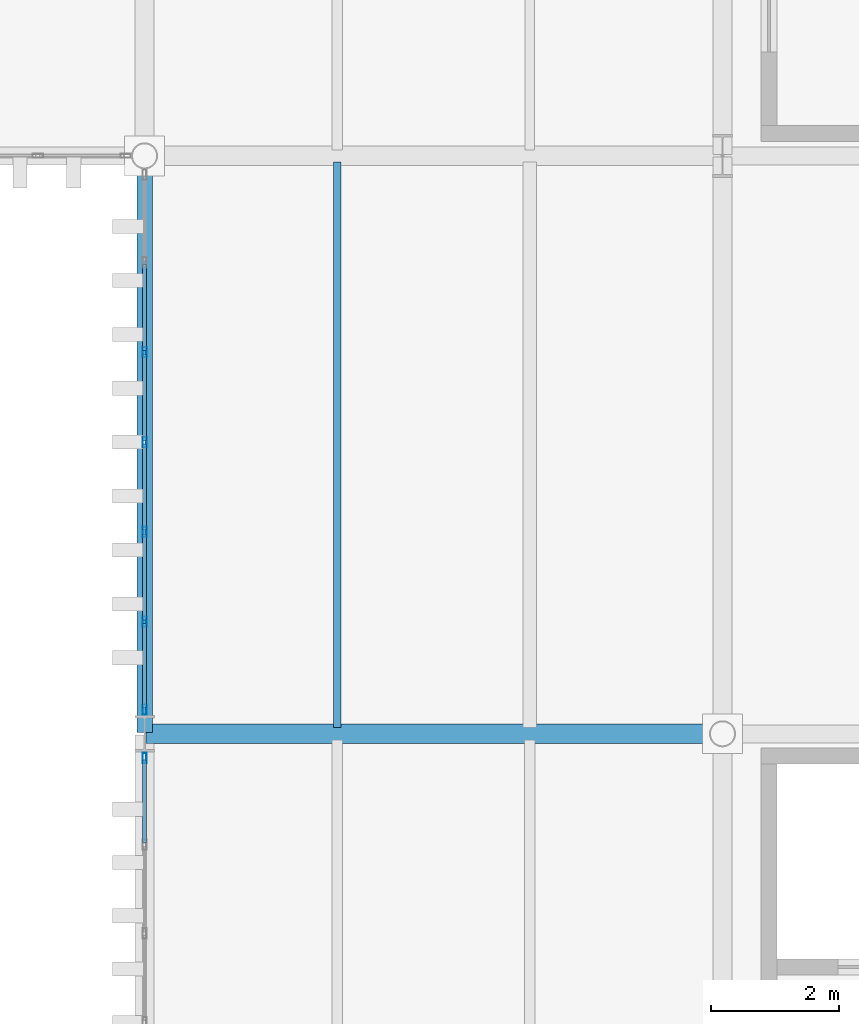
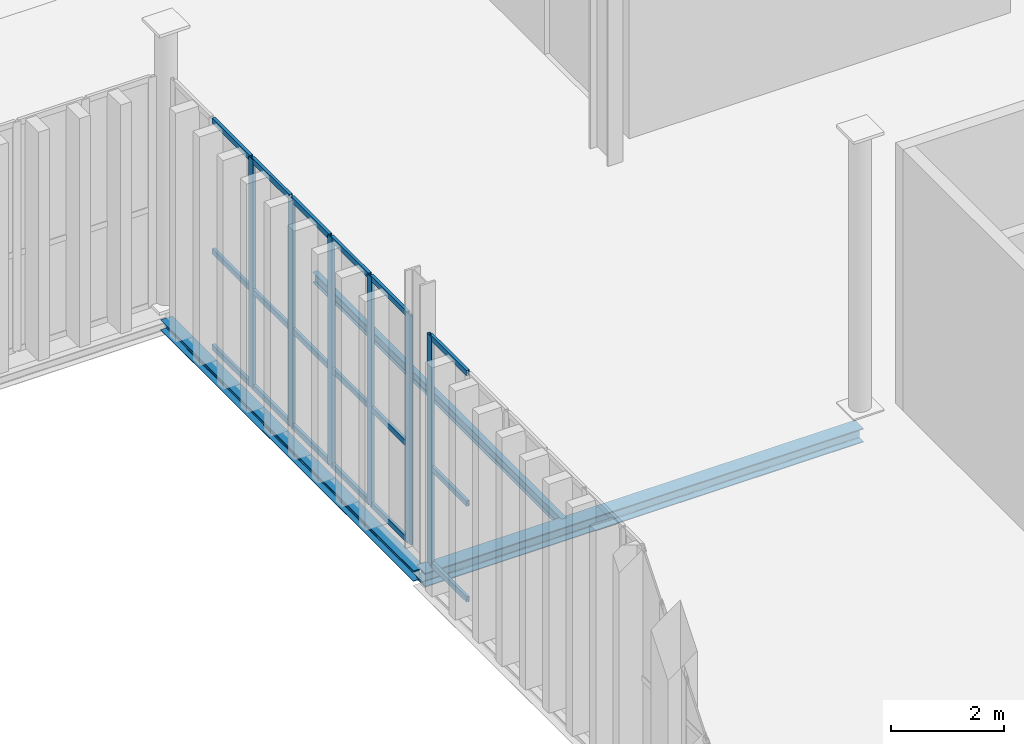
# One storey, part 118 of 211: 24 members, 3 beams, 2 elements without a shape of their own.
"""IFC4 building model written with IfcOpenShell, lengths in metres."""

from ifc_helpers import new_model, si_unit, direction, frame, origin, origin_2d, place, context, subcontext, project, spatial, hollow_rectangle, i_section, extrude, material, layer, layer_set, material_profile, profile_set, type_object, element, aggregate, save


model = new_model("IFC4")

# Units and contexts
model_context = context("Model", 3, precision=1e-05, world=origin(), true_north=direction((0.0, 1.0)))
body_context = subcontext(model_context, "Body", "Model", "MODEL_VIEW")
ifc_project = project(units=[si_unit("LENGTHUNIT", "METRE"), si_unit("AREAUNIT", "SQUARE_METRE"), si_unit("VOLUMEUNIT", "CUBIC_METRE"), si_unit("PLANEANGLEUNIT", "RADIAN"), si_unit("MASSUNIT", "GRAM", prefix="KILO")], contexts=[model_context])

# Site, building, storey
site_placement = place(None, origin())
site = spatial("IfcSite", under=ifc_project, at=site_placement, CompositionType="ELEMENT")
building_placement = place(site_placement, origin())
building = spatial("IfcBuilding", under=site, at=building_placement, Name="Barlavento Convention Centre", CompositionType="ELEMENT")
storey_placement = place(building_placement, frame((0.0, 0.0, 6.0)))
storey = spatial("IfcBuildingStorey", under=building, at=storey_placement, Name="L01", CompositionType="ELEMENT", Elevation=6.0)

# Curtain wall, member
ifc_material_1 = material(Name="Powder-coated aluminium and Low-E glass", Category="aluminium")
ifc_layer = layer(ifc_material_1, 0.195068359375)
ifc_layer_set = layer_set([ifc_layer], Name="ARC-CW-PATIO-A")
curtain_wall_type = type_object("IfcCurtainWallType", Name="ARC-CW-PATIO-A", PredefinedType="NOTDEFINED", material=ifc_layer_set)
curtain_wall_1_placement = place(storey_placement, origin())
curtain_wall_1 = element("IfcCurtainWall", 1, at=curtain_wall_1_placement, inside=storey, type_object=curtain_wall_type, Name="L01 unitised curtain wall CW11", PredefinedType="NOTDEFINED")
ifc_material_2 = material(Name="Powder-coated aluminium", Category="aluminium")
ifc_material_profile_1 = material_profile(ifc_material_2, hollow_rectangle(XDim=0.06005859375, YDim=0.159912109375, WallThickness=0.00390625, at=origin_2d()), Name="AL-MULL 60x160x4")
ifc_profile_set_1 = profile_set([ifc_material_profile_1], Name="Powder-coated aluminium")
member_type_1 = type_object("IfcMemberType", Name="ARC-CWM-60X160", PredefinedType="MULLION", material=ifc_profile_set_1)
member_1_placement = place(storey_placement, frame((171.0, 80.6240234375, 0.0), z_axis=(0.0, 0.0, 1.0), x_axis=(-1.0, 0.0, 0.0)))
member_1 = element("IfcMember", 2, at=member_1_placement, type_object=member_type_1, Name="CW11 mullion 7", PredefinedType="MULLION", context=body_context, shape_type="SweptSolid", body=[
    extrude(hollow_rectangle(XDim=0.06005859375, YDim=0.159912109375, WallThickness=0.00390625, at=origin_2d()), origin(), (0.0, 0.0, 1.0), 4.949951171875),
])

# Curtain wall, members
curtain_wall_2_placement = place(storey_placement, origin())
curtain_wall_2 = element("IfcCurtainWall", 3, at=curtain_wall_2_placement, inside=storey, type_object=curtain_wall_type, Name="L01 unitised curtain wall CW11", PredefinedType="NOTDEFINED")
member_2_placement = place(storey_placement, frame((171.0, 81.3759765625, 0.0), z_axis=(0.0, 0.0, 1.0), x_axis=(-1.0, 0.0, 0.0)))
member_2 = element("IfcMember", 4, at=member_2_placement, type_object=member_type_1, Name="CW11 mullion 1", PredefinedType="MULLION", context=body_context, shape_type="SweptSolid", body=[
    extrude(hollow_rectangle(XDim=0.06005859375, YDim=0.159912109375, WallThickness=0.00390625, at=origin_2d()), origin(), (0.0, 0.0, 1.0), 4.949951171875),
])
member_3_placement = place(storey_placement, frame((171.0, 82.744384765625, 0.0), z_axis=(0.0, 0.0, 1.0), x_axis=(-1.0, 0.0, 0.0)))
member_3 = element("IfcMember", 5, at=member_3_placement, type_object=member_type_1, Name="CW11 mullion 2", PredefinedType="MULLION", context=body_context, shape_type="SweptSolid", body=[
    extrude(hollow_rectangle(XDim=0.06005859375, YDim=0.159912109375, WallThickness=0.00390625, at=origin_2d()), origin(), (0.0, 0.0, 1.0), 4.949951171875),
])
member_4_placement = place(storey_placement, frame((171.0, 84.142822265625, 0.0), z_axis=(0.0, 0.0, 1.0), x_axis=(-1.0, 0.0, 0.0)))
member_4 = element("IfcMember", 6, at=member_4_placement, type_object=member_type_1, Name="CW11 mullion 3", PredefinedType="MULLION", context=body_context, shape_type="SweptSolid", body=[
    extrude(hollow_rectangle(XDim=0.06005859375, YDim=0.159912109375, WallThickness=0.00390625, at=origin_2d()), origin(), (0.0, 0.0, 1.0), 4.949951171875),
])
member_5_placement = place(storey_placement, frame((171.0, 85.54150390625, 0.0), z_axis=(0.0, 0.0, 1.0), x_axis=(-1.0, 0.0, 0.0)))
member_5 = element("IfcMember", 7, at=member_5_placement, type_object=member_type_1, Name="CW11 mullion 4", PredefinedType="MULLION", context=body_context, shape_type="SweptSolid", body=[
    extrude(hollow_rectangle(XDim=0.06005859375, YDim=0.159912109375, WallThickness=0.00390625, at=origin_2d()), origin(), (0.0, 0.0, 1.0), 4.949951171875),
])
member_6_placement = place(storey_placement, frame((171.0, 86.93994140625, 0.0), z_axis=(0.0, 0.0, 1.0), x_axis=(-1.0, 0.0, 0.0)))
member_6 = element("IfcMember", 8, at=member_6_placement, type_object=member_type_1, Name="CW11 mullion 5", PredefinedType="MULLION", context=body_context, shape_type="SweptSolid", body=[
    extrude(hollow_rectangle(XDim=0.06005859375, YDim=0.159912109375, WallThickness=0.00390625, at=origin_2d()), origin(), (0.0, 0.0, 1.0), 4.949951171875),
])

# Member
ifc_material_profile_2 = material_profile(ifc_material_2, hollow_rectangle(XDim=0.06005859375, YDim=0.1201171875, WallThickness=0.00390625, at=origin_2d()), Name="AL-TRAN 60x120x4")
ifc_profile_set_2 = profile_set([ifc_material_profile_2], Name="Powder-coated aluminium")
member_type_2 = type_object("IfcMemberType", Name="ARC-CWT-60X120", PredefinedType="USERDEFINED", material=ifc_profile_set_2)
member_7_placement = place(storey_placement, frame((171.0, 79.3017578125, 0.030029296875), z_axis=(0.0, 1.0, 0.0), x_axis=(-1.0, 0.0, 0.0)))
member_7 = element("IfcMember", 9, at=member_7_placement, type_object=member_type_2, Name="CW11 transom 6.1", ObjectType="TRANSOM", PredefinedType="USERDEFINED", context=body_context, shape_type="SweptSolid", body=[
    extrude(hollow_rectangle(XDim=0.06005859375, YDim=0.1201171875, WallThickness=0.00390625, at=origin_2d()), origin(), (0.0, 0.0, 1.0), 1.292236328125),
])

member_8_placement = place(storey_placement, frame((171.0, 79.3017578125, 2.10009765625), z_axis=(0.0, 1.0, 0.0), x_axis=(-1.0, 0.0, 0.0)))
member_8 = element("IfcMember", 10, at=member_8_placement, type_object=member_type_2, Name="CW11 transom 6.2", ObjectType="TRANSOM", PredefinedType="USERDEFINED", context=body_context, shape_type="SweptSolid", body=[
    extrude(hollow_rectangle(XDim=0.06005859375, YDim=0.1201171875, WallThickness=0.00390625, at=origin_2d()), origin(), (0.0, 0.0, 1.0), 1.292236328125),
])

member_9_placement = place(storey_placement, frame((171.0, 79.3017578125, 4.919921875), z_axis=(0.0, 1.0, 0.0), x_axis=(-1.0, 0.0, 0.0)))
member_9 = element("IfcMember", 11, at=member_9_placement, type_object=member_type_2, Name="CW11 transom 6.3", ObjectType="TRANSOM", PredefinedType="USERDEFINED", context=body_context, shape_type="SweptSolid", body=[
    extrude(hollow_rectangle(XDim=0.06005859375, YDim=0.1201171875, WallThickness=0.00390625, at=origin_2d()), origin(), (0.0, 0.0, 1.0), 1.292236328125),
])

aggregate(curtain_wall_1, [member_1, member_7, member_8, member_9])

member_10_placement = place(storey_placement, frame((171.0, 81.406005859375, 0.030029296875), z_axis=(0.0, 1.0, 0.0), x_axis=(-1.0, 0.0, 0.0)))
member_10 = element("IfcMember", 12, at=member_10_placement, type_object=member_type_2, Name="CW11 transom 1.1", ObjectType="TRANSOM", PredefinedType="USERDEFINED", context=body_context, shape_type="SweptSolid", body=[
    extrude(hollow_rectangle(XDim=0.06005859375, YDim=0.1201171875, WallThickness=0.00390625, at=origin_2d()), origin(), (0.0, 0.0, 1.0), 1.308349609375),
])

member_11_placement = place(storey_placement, frame((171.0, 81.406005859375, 2.10009765625), z_axis=(0.0, 1.0, 0.0), x_axis=(-1.0, 0.0, 0.0)))
member_11 = element("IfcMember", 13, at=member_11_placement, type_object=member_type_2, Name="CW11 transom 1.2", ObjectType="TRANSOM", PredefinedType="USERDEFINED", context=body_context, shape_type="SweptSolid", body=[
    extrude(hollow_rectangle(XDim=0.06005859375, YDim=0.1201171875, WallThickness=0.00390625, at=origin_2d()), origin(), (0.0, 0.0, 1.0), 1.308349609375),
])

member_12_placement = place(storey_placement, frame((171.0, 81.406005859375, 4.919921875), z_axis=(0.0, 1.0, 0.0), x_axis=(-1.0, 0.0, 0.0)))
member_12 = element("IfcMember", 14, at=member_12_placement, type_object=member_type_2, Name="CW11 transom 1.3", ObjectType="TRANSOM", PredefinedType="USERDEFINED", context=body_context, shape_type="SweptSolid", body=[
    extrude(hollow_rectangle(XDim=0.06005859375, YDim=0.1201171875, WallThickness=0.00390625, at=origin_2d()), origin(), (0.0, 0.0, 1.0), 1.308349609375),
])

member_13_placement = place(storey_placement, frame((171.0, 82.7744140625, 0.030029296875), z_axis=(0.0, 1.0, 0.0), x_axis=(-1.0, 0.0, 0.0)))
member_13 = element("IfcMember", 15, at=member_13_placement, type_object=member_type_2, Name="CW11 transom 2.1", ObjectType="TRANSOM", PredefinedType="USERDEFINED", context=body_context, shape_type="SweptSolid", body=[
    extrude(hollow_rectangle(XDim=0.06005859375, YDim=0.1201171875, WallThickness=0.00390625, at=origin_2d()), origin(), (0.0, 0.0, 1.0), 1.338623046875),
])

member_14_placement = place(storey_placement, frame((171.0, 82.7744140625, 2.10009765625), z_axis=(0.0, 1.0, 0.0), x_axis=(-1.0, 0.0, 0.0)))
member_14 = element("IfcMember", 16, at=member_14_placement, type_object=member_type_2, Name="CW11 transom 2.2", ObjectType="TRANSOM", PredefinedType="USERDEFINED", context=body_context, shape_type="SweptSolid", body=[
    extrude(hollow_rectangle(XDim=0.06005859375, YDim=0.1201171875, WallThickness=0.00390625, at=origin_2d()), origin(), (0.0, 0.0, 1.0), 1.338623046875),
])

member_15_placement = place(storey_placement, frame((171.0, 82.7744140625, 4.919921875), z_axis=(0.0, 1.0, 0.0), x_axis=(-1.0, 0.0, 0.0)))
member_15 = element("IfcMember", 17, at=member_15_placement, type_object=member_type_2, Name="CW11 transom 2.3", ObjectType="TRANSOM", PredefinedType="USERDEFINED", context=body_context, shape_type="SweptSolid", body=[
    extrude(hollow_rectangle(XDim=0.06005859375, YDim=0.1201171875, WallThickness=0.00390625, at=origin_2d()), origin(), (0.0, 0.0, 1.0), 1.338623046875),
])

member_16_placement = place(storey_placement, frame((171.0, 84.1728515625, 0.030029296875), z_axis=(0.0, 1.0, 0.0), x_axis=(-1.0, 0.0, 0.0)))
member_16 = element("IfcMember", 18, at=member_16_placement, type_object=member_type_2, Name="CW11 transom 3.1", ObjectType="TRANSOM", PredefinedType="USERDEFINED", context=body_context, shape_type="SweptSolid", body=[
    extrude(hollow_rectangle(XDim=0.06005859375, YDim=0.1201171875, WallThickness=0.00390625, at=origin_2d()), origin(), (0.0, 0.0, 1.0), 1.338623046875),
])

member_17_placement = place(storey_placement, frame((171.0, 84.1728515625, 2.10009765625), z_axis=(0.0, 1.0, 0.0), x_axis=(-1.0, 0.0, 0.0)))
member_17 = element("IfcMember", 19, at=member_17_placement, type_object=member_type_2, Name="CW11 transom 3.2", ObjectType="TRANSOM", PredefinedType="USERDEFINED", context=body_context, shape_type="SweptSolid", body=[
    extrude(hollow_rectangle(XDim=0.06005859375, YDim=0.1201171875, WallThickness=0.00390625, at=origin_2d()), origin(), (0.0, 0.0, 1.0), 1.338623046875),
])

member_18_placement = place(storey_placement, frame((171.0, 84.1728515625, 4.919921875), z_axis=(0.0, 1.0, 0.0), x_axis=(-1.0, 0.0, 0.0)))
member_18 = element("IfcMember", 20, at=member_18_placement, type_object=member_type_2, Name="CW11 transom 3.3", ObjectType="TRANSOM", PredefinedType="USERDEFINED", context=body_context, shape_type="SweptSolid", body=[
    extrude(hollow_rectangle(XDim=0.06005859375, YDim=0.1201171875, WallThickness=0.00390625, at=origin_2d()), origin(), (0.0, 0.0, 1.0), 1.338623046875),
])

member_19_placement = place(storey_placement, frame((171.0, 85.5712890625, 0.030029296875), z_axis=(0.0, 1.0, 0.0), x_axis=(-1.0, 0.0, 0.0)))
member_19 = element("IfcMember", 21, at=member_19_placement, type_object=member_type_2, Name="CW11 transom 4.1", ObjectType="TRANSOM", PredefinedType="USERDEFINED", context=body_context, shape_type="SweptSolid", body=[
    extrude(hollow_rectangle(XDim=0.06005859375, YDim=0.1201171875, WallThickness=0.00390625, at=origin_2d()), origin(), (0.0, 0.0, 1.0), 1.338623046875),
])

member_20_placement = place(storey_placement, frame((171.0, 85.5712890625, 2.10009765625), z_axis=(0.0, 1.0, 0.0), x_axis=(-1.0, 0.0, 0.0)))
member_20 = element("IfcMember", 22, at=member_20_placement, type_object=member_type_2, Name="CW11 transom 4.2", ObjectType="TRANSOM", PredefinedType="USERDEFINED", context=body_context, shape_type="SweptSolid", body=[
    extrude(hollow_rectangle(XDim=0.06005859375, YDim=0.1201171875, WallThickness=0.00390625, at=origin_2d()), origin(), (0.0, 0.0, 1.0), 1.338623046875),
])

member_21_placement = place(storey_placement, frame((171.0, 85.5712890625, 4.919921875), z_axis=(0.0, 1.0, 0.0), x_axis=(-1.0, 0.0, 0.0)))
member_21 = element("IfcMember", 23, at=member_21_placement, type_object=member_type_2, Name="CW11 transom 4.3", ObjectType="TRANSOM", PredefinedType="USERDEFINED", context=body_context, shape_type="SweptSolid", body=[
    extrude(hollow_rectangle(XDim=0.06005859375, YDim=0.1201171875, WallThickness=0.00390625, at=origin_2d()), origin(), (0.0, 0.0, 1.0), 1.338623046875),
])

member_22_placement = place(storey_placement, frame((171.0, 86.969970703125, 0.030029296875), z_axis=(0.0, 1.0, 0.0), x_axis=(-1.0, 0.0, 0.0)))
member_22 = element("IfcMember", 24, at=member_22_placement, type_object=member_type_2, Name="CW11 transom 5.1", ObjectType="TRANSOM", PredefinedType="USERDEFINED", context=body_context, shape_type="SweptSolid", body=[
    extrude(hollow_rectangle(XDim=0.06005859375, YDim=0.1201171875, WallThickness=0.00390625, at=origin_2d()), origin(), (0.0, 0.0, 1.0), 1.33837890625),
])

member_23_placement = place(storey_placement, frame((171.0, 86.969970703125, 2.10009765625), z_axis=(0.0, 1.0, 0.0), x_axis=(-1.0, 0.0, 0.0)))
member_23 = element("IfcMember", 25, at=member_23_placement, type_object=member_type_2, Name="CW11 transom 5.2", ObjectType="TRANSOM", PredefinedType="USERDEFINED", context=body_context, shape_type="SweptSolid", body=[
    extrude(hollow_rectangle(XDim=0.06005859375, YDim=0.1201171875, WallThickness=0.00390625, at=origin_2d()), origin(), (0.0, 0.0, 1.0), 1.33837890625),
])

member_24_placement = place(storey_placement, frame((171.0, 86.969970703125, 4.919921875), z_axis=(0.0, 1.0, 0.0), x_axis=(-1.0, 0.0, 0.0)))
member_24 = element("IfcMember", 26, at=member_24_placement, type_object=member_type_2, Name="CW11 transom 5.3", ObjectType="TRANSOM", PredefinedType="USERDEFINED", context=body_context, shape_type="SweptSolid", body=[
    extrude(hollow_rectangle(XDim=0.06005859375, YDim=0.1201171875, WallThickness=0.00390625, at=origin_2d()), origin(), (0.0, 0.0, 1.0), 1.33837890625),
])

aggregate(curtain_wall_2, [member_2, member_3, member_4, member_5, member_6, member_10, member_11, member_12, member_13, member_14, member_15, member_16, member_17, member_18, member_19, member_20, member_21, member_22, member_23, member_24])

# Beams
ifc_material_3 = material(Name="Steel S355", Category="steel")
ifc_material_profile_3 = material_profile(ifc_material_3, i_section(OverallWidth=0.110107421875, OverallDepth=0.219970703125, WebThickness=0.005859375, FlangeThickness=0.00927734375, FilletRadius=0.011962890625, at=origin_2d()), Name="IPE 220")
ifc_profile_set_3 = profile_set([ifc_material_profile_3], Name="Steel S355")
beam_type_1 = type_object("IfcBeamType", Name="STR-BM-JST-IPE220", PredefinedType="JOIST", material=ifc_profile_set_3)
beam_1_placement = place(storey_placement, frame((174.0, 81.094970703125, -0.469970703125), z_axis=(0.0, 1.0, 0.0), x_axis=(-1.0, 0.0, 0.0)))
element("IfcBeam", 27, at=beam_1_placement, inside=storey, type_object=beam_type_1, Name="L01 composite floor joist SJ10", PredefinedType="JOIST", context=body_context, shape_type="SweptSolid", body=[
    extrude(i_section(OverallWidth=0.110107421875, OverallDepth=0.219970703125, WebThickness=0.005859375, FlangeThickness=0.00927734375, FilletRadius=0.011962890625, at=origin_2d()), origin(), (0.0, 0.0, 1.0), 8.81005859375),
])
ifc_material_profile_4 = material_profile(ifc_material_3, i_section(OverallWidth=0.300048828125, OverallDepth=0.300048828125, WebThickness=0.010986328125, FlangeThickness=0.01904296875, FilletRadius=0.027099609375, at=origin_2d()), Name="HEB 300")
ifc_profile_set_4 = profile_set([ifc_material_profile_4], Name="Steel S355")
beam_type_2 = type_object("IfcBeamType", Name="STR-BM-PRI-HEB300", PredefinedType="BEAM", material=ifc_profile_set_4)
beam_2_placement = place(storey_placement, frame((171.02001953125, 81.0, -0.510009765625), z_axis=(1.0, 0.0, 0.0), x_axis=(0.0, 1.0, 0.0)))
element("IfcBeam", 28, at=beam_2_placement, inside=storey, type_object=beam_type_2, Name="L01 primary girder BG14", PredefinedType="BEAM", context=body_context, shape_type="SweptSolid", body=[
    extrude(i_section(OverallWidth=0.300048828125, OverallDepth=0.300048828125, WebThickness=0.010986328125, FlangeThickness=0.01904296875, FilletRadius=0.027099609375, at=origin_2d()), origin(), (0.0, 0.0, 1.0), 8.9599609375),
])
ifc_material_profile_5 = material_profile(ifc_material_3, i_section(OverallWidth=0.239990234375, OverallDepth=0.22998046875, WebThickness=0.007568359375, FlangeThickness=0.011962890625, FilletRadius=0.02099609375, at=origin_2d()), Name="HEA 240")
ifc_profile_set_5 = profile_set([ifc_material_profile_5], Name="Steel S355")
beam_type_3 = type_object("IfcBeamType", Name="STR-BM-SPN-HEA240", PredefinedType="SPANDREL", material=ifc_profile_set_5)
beam_3_placement = place(storey_placement, frame((171.0, 81.02001953125, -0.47509765625), z_axis=(0.0, 1.0, 0.0), x_axis=(-1.0, 0.0, 0.0)))
element("IfcBeam", 29, at=beam_3_placement, inside=storey, type_object=beam_type_3, Name="L01 grid girder SP05", PredefinedType="SPANDREL", context=body_context, shape_type="SweptSolid", body=[
    extrude(i_section(OverallWidth=0.239990234375, OverallDepth=0.22998046875, WebThickness=0.007568359375, FlangeThickness=0.011962890625, FilletRadius=0.02099609375, at=origin_2d()), origin(), (0.0, 0.0, 1.0), 8.9599609375),
])

save(model, "model.ifc")
